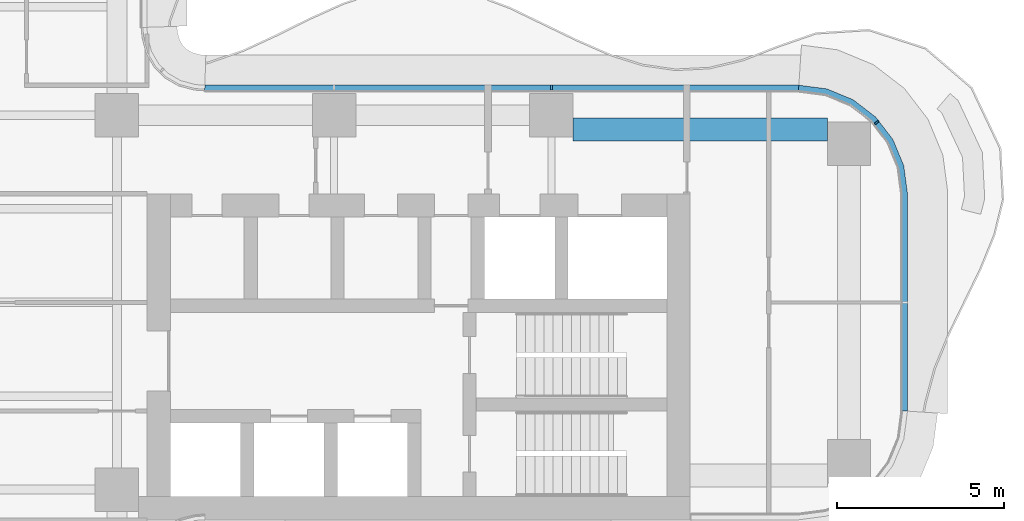
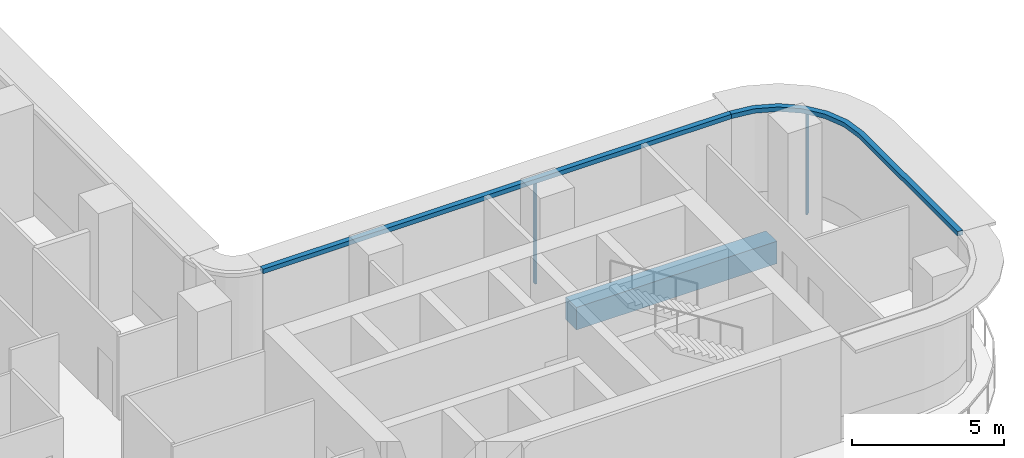
# One storey, part 11 of 21: 4 members, 1 beam, 2 elements without a shape of their own.
"""IFC4 building model written with IfcOpenShell, lengths in metres."""

from ifc_helpers import new_model, si_unit, direction, frame, origin, origin_2d, place, context, subcontext, project, spatial, polyline, rectangle, outline, extrude, source, transform, mapped, material, layer, layer_set, material_profile, profile_set, type_object, element, aggregate, save


model = new_model("IFC4")

# Units and contexts
model_context = context("Model", 3, precision=1e-05, world=origin(), true_north=direction((0.0, 1.0)))
body_context = subcontext(model_context, "Body", "Model", "MODEL_VIEW")
ifc_project = project(units=[si_unit("LENGTHUNIT", "METRE"), si_unit("AREAUNIT", "SQUARE_METRE"), si_unit("VOLUMEUNIT", "CUBIC_METRE"), si_unit("PLANEANGLEUNIT", "RADIAN"), si_unit("MASSUNIT", "GRAM", prefix="KILO")], contexts=[model_context])

# Site, building, storey
site_placement = place(None, origin())
site = spatial("IfcSite", under=ifc_project, at=site_placement, CompositionType="ELEMENT")
building_placement = place(site_placement, origin())
building = spatial("IfcBuilding", under=site, at=building_placement, Name="Trellis Farm Tower", CompositionType="ELEMENT")
storey_placement = place(building_placement, frame((0.0, 0.0, 106.5)))
storey = spatial("IfcBuildingStorey", under=building, at=storey_placement, Name="L22", CompositionType="ELEMENT", Elevation=106.5)

# Beam
ifc_material_1 = material(Name="Concrete C60/75", Category="concrete")
ifc_material_profile_1 = material_profile(ifc_material_1, rectangle(XDim=0.699951171875, YDim=0.89990234375, at=origin_2d()), Name="RC spandrel beam 700x900 C60/75")
ifc_profile_set_1 = profile_set([ifc_material_profile_1], Name="Concrete C60/75")
beam_type = type_object("IfcBeamType", Name="RC spandrel beam 700x900 C60/75", PredefinedType="SPANDREL", material=ifc_profile_set_1)
shared_shape_1 = source(origin(), body_context, "Body", "SweptSolid", [
    extrude(rectangle(XDim=0.699951171875, YDim=0.89990234375, at=origin_2d()), origin(), (0.0, 0.0, 1.0), 7.60009765625),
])
beam_placement = place(storey_placement, frame((19.25, 5.175048828125, -0.699951171875), z_axis=(1.0, 0.0, 0.0), x_axis=(0.0, 1.0, 0.0)))
element("IfcBeam", 1, at=beam_placement, inside=storey, type_object=beam_type, Name="Girder", PredefinedType="SPANDREL", context=body_context, shape_type="MappedRepresentation", body=[
    mapped(shared_shape_1, transform((0.0, 0.0, 0.0))),
])

# Curtain wall, member
ifc_material_2 = material(Name="Aluminium and glass curtain wall", Category="aluminium")
ifc_layer_1 = layer(ifc_material_2, 0.18994140625)
ifc_layer_set_1 = layer_set([ifc_layer_1], Name="RIBBON CURTAIN WALL CW1")
curtain_wall_type = type_object("IfcCurtainWallType", Name="RIBBON CURTAIN WALL CW1", PredefinedType="NOTDEFINED", material=ifc_layer_set_1)
placement_1 = place(storey_placement, origin())
curtain_wall_1 = element("IfcCurtainWall", 2, at=placement_1, inside=storey, type_object=curtain_wall_type, Name="CW1 007", PredefinedType="NOTDEFINED")
ifc_material_3 = material(Name="Aluminium extrusion 6063-T6", Category="aluminium")
ifc_material_profile_2 = material_profile(ifc_material_3, rectangle(XDim=0.06005859375, YDim=0.14990234375, at=origin_2d()), Name="MULLION 60x150")
ifc_profile_set_2 = profile_set([ifc_material_profile_2], Name="Aluminium extrusion 6063-T6")
member_type_1 = type_object("IfcMemberType", Name="CW1 MULLION 60x150", PredefinedType="MULLION", material=ifc_profile_set_2)
shared_shape_2 = source(origin(), body_context, "Body", "SweptSolid", [
    extrude(rectangle(XDim=0.06005859375, YDim=0.14990234375, at=origin_2d()), origin(), (0.0, 0.0, 1.0), 4.070068359375),
])
member_1_placement = place(storey_placement, frame((28.328369140625, 5.385498046875, 0.0), z_axis=(0.0, 0.0, 1.0), x_axis=(-0.608761429009, 0.793353340291, 0.0)))
member_1 = element("IfcMember", 3, at=member_1_placement, type_object=member_type_1, Name="MU1 007-02", PredefinedType="MULLION", context=body_context, shape_type="MappedRepresentation", body=[
    mapped(shared_shape_2, transform((0.0, 0.0, 0.0))),
])

# Curtain wall, members
curtain_wall_2 = element("IfcCurtainWall", 4, at=placement_1, inside=storey, type_object=curtain_wall_type, Name="CW1 008", PredefinedType="NOTDEFINED")
member_2_placement = place(storey_placement, frame((18.60009765625, 6.425048828125, 0.0), z_axis=(0.0, 0.0, 1.0), x_axis=(-1.0, 0.0, 0.0)))
member_2 = element("IfcMember", 5, at=member_2_placement, type_object=member_type_1, Name="MU1 008-01", PredefinedType="MULLION", context=body_context, shape_type="MappedRepresentation", body=[
    mapped(shared_shape_2, transform((0.0, 0.0, 0.0))),
])
ifc_layer_2 = layer(ifc_material_3, 0.199951171875)
ifc_layer_set_2 = layer_set([ifc_layer_2], Name="Aluminium extrusion 6063-T6")
member_type_2 = type_object("IfcMemberType", Name="CW1 TRANSOM 200x180", PredefinedType="USERDEFINED", material=ifc_layer_set_2)
shared_shape_3 = source(origin(), body_context, "Body", "SweptSolid", [
    extrude(outline(polyline([(26.0, 6.5), (8.2314453125, 6.5), (8.224853515625, 6.300048828125), (25.98681640625, 6.300048828125), (26.0, 6.5)])), origin(), (0.0, 0.0, 1.0), 0.179931640625),
])
placement_2 = place(storey_placement, frame((0.0, 0.0, 4.070068359375)))
member_3 = element("IfcMember", 6, at=placement_2, type_object=member_type_2, Name="TR1 008", ObjectType="TRANSOM", PredefinedType="USERDEFINED", context=body_context, shape_type="MappedRepresentation", body=[
    mapped(shared_shape_3, transform((0.0, 0.0, 0.0))),
])
aggregate(curtain_wall_2, [member_2, member_3])

# Member
shared_shape_4 = source(origin(), body_context, "Body", "SweptSolid", [
    extrude(outline(polyline([(29.25, -3.25), (29.25, 3.25), (29.13916015625, 4.091064453125), (28.814697265625, 4.875), (28.298095703125, 5.548095703125), (27.625, 6.064697265625), (26.841064453125, 6.38916015625), (26.0, 6.5), (25.98681640625, 6.300048828125), (26.7890625, 6.1943359375), (27.524169921875, 5.889892578125), (28.155517578125, 5.405517578125), (28.639892578125, 4.774169921875), (28.9443359375, 4.0390625), (29.050048828125, 3.23681640625), (29.050048828125, -3.23681640625), (29.25, -3.25)])), origin(), (0.0, 0.0, 1.0), 0.179931640625),
])
member_4 = element("IfcMember", 7, at=placement_2, type_object=member_type_2, Name="TR1 007", ObjectType="TRANSOM", PredefinedType="USERDEFINED", context=body_context, shape_type="MappedRepresentation", body=[
    mapped(shared_shape_4, transform((0.0, 0.0, 0.0))),
])

aggregate(curtain_wall_1, [member_1, member_4])

save(model, "model.ifc")
